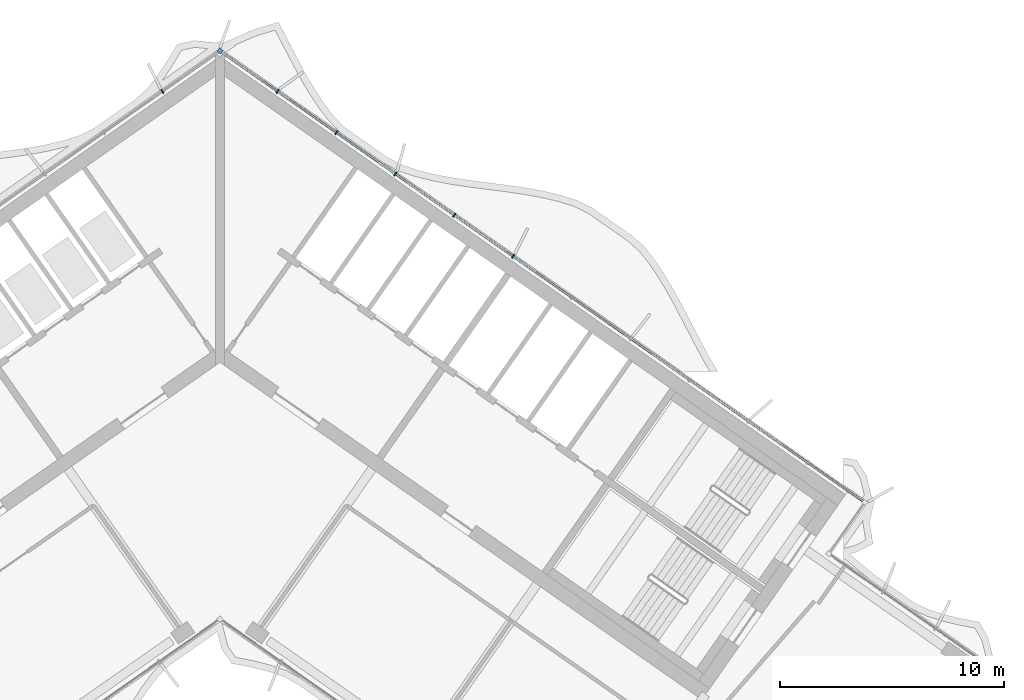
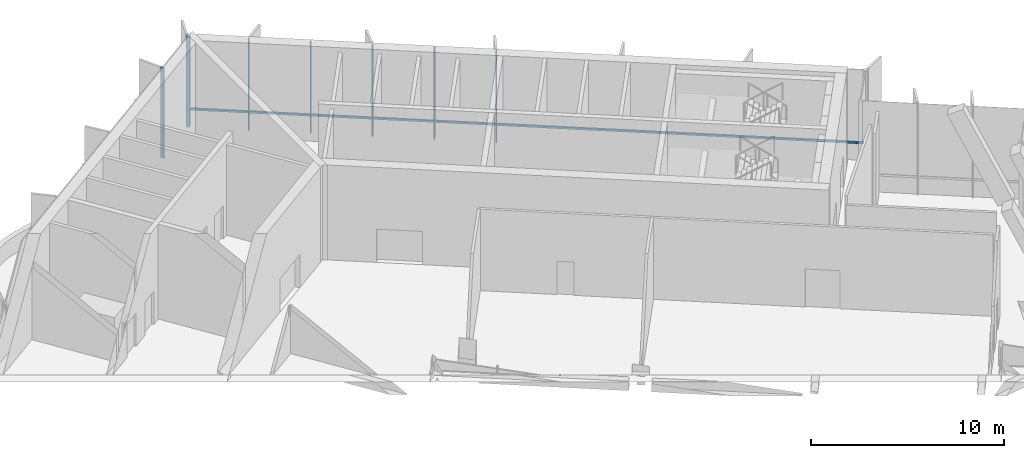
# One storey, part 8 of 22: 8 members, 1 element without a shape of its own.
"""IFC4 building model written with IfcOpenShell, lengths in metres."""

from ifc_helpers import new_model, si_unit, direction, frame, origin, origin_2d, place, context, subcontext, project, spatial, rectangle, extrude, material, material_profile, profile_set, type_object, element, aggregate, save


model = new_model("IFC4")

# Units and contexts
model_context = context("Model", 3, precision=1e-05, world=origin(), true_north=direction((0.0, 1.0)))
body_context = subcontext(model_context, "Body", "Model", "MODEL_VIEW")
ifc_project = project(units=[si_unit("LENGTHUNIT", "METRE"), si_unit("AREAUNIT", "SQUARE_METRE"), si_unit("VOLUMEUNIT", "CUBIC_METRE"), si_unit("PLANEANGLEUNIT", "RADIAN"), si_unit("MASSUNIT", "GRAM", prefix="KILO")], contexts=[model_context])

# Site, building, storey
site_placement = place(None, origin())
site = spatial("IfcSite", under=ifc_project, at=site_placement, CompositionType="ELEMENT")
building_placement = place(site_placement, origin())
building = spatial("IfcBuilding", under=site, at=building_placement, Name="Tel Ilan Convention Tower", CompositionType="ELEMENT")
storey_placement = place(building_placement, frame((0.0, 0.0, 219.39990234375)))
storey = spatial("IfcBuildingStorey", under=building, at=storey_placement, Name="L51", CompositionType="ELEMENT", Elevation=219.39990234375)

# Curtain wall, members
ifc_material_1 = material(Name="Aluminium, bronze anodised", Category="aluminium")
curtain_wall_type = type_object("IfcCurtainWallType", Name="CW2 STICK CURTAIN WALL, SPANDREL PANELS", PredefinedType="NOTDEFINED", material=ifc_material_1)
curtain_wall_placement = place(storey_placement, origin())
curtain_wall = element("IfcCurtainWall", 1, at=curtain_wall_placement, inside=storey, type_object=curtain_wall_type, Name="Curtain wall CW2-40.01", PredefinedType="NOTDEFINED")
ifc_material_2 = material(Name="Aluminium, bronze anodised", Category="aluminium")
ifc_material_profile_1 = material_profile(ifc_material_2, rectangle(XDim=0.199951171875, YDim=0.199951171875, at=origin_2d()), Name="CW CORNER MULLION 200x200")
ifc_profile_set_1 = profile_set([ifc_material_profile_1], Name="Aluminium, bronze anodised")
member_type_1 = type_object("IfcMemberType", Name="CW CORNER MULLION 200x200", PredefinedType="MULLION", material=ifc_profile_set_1)
member_1_placement = place(storey_placement, frame((0.0, 12.696044921875, 0.0), z_axis=(0.0, 0.0, 1.0), x_axis=(-0.819152044289, 0.573576436351, 0.0)))
member_1 = element("IfcMember", 2, at=member_1_placement, type_object=member_type_1, Name="Corner mullion", PredefinedType="MULLION", context=body_context, shape_type="SweptSolid", body=[
    extrude(rectangle(XDim=0.199951171875, YDim=0.199951171875, at=origin_2d()), origin(), (0.0, 0.0, 1.0), 5.72021484375),
])
ifc_material_3 = material(Name="Aluminium, bronze anodised", Category="aluminium")
ifc_material_profile_2 = material_profile(ifc_material_3, rectangle(XDim=0.06005859375, YDim=0.199951171875, at=origin_2d()), Name="CW MULLION 60x200")
ifc_profile_set_2 = profile_set([ifc_material_profile_2], Name="Aluminium, bronze anodised")
member_type_2 = type_object("IfcMemberType", Name="CW MULLION 60x200", PredefinedType="MULLION", material=ifc_profile_set_2)
member_2_placement = place(storey_placement, frame((13.105712890625, 3.519287109375, 0.0), z_axis=(0.0, 0.0, 1.0), x_axis=(-0.819152044289, 0.573576436351, 0.0)))
member_2 = element("IfcMember", 3, at=member_2_placement, type_object=member_type_2, Name="Mullion", PredefinedType="MULLION", context=body_context, shape_type="SweptSolid", body=[
    extrude(rectangle(XDim=0.06005859375, YDim=0.199951171875, at=origin_2d()), origin(), (0.0, 0.0, 1.0), 5.72021484375),
])
member_3_placement = place(storey_placement, frame((10.47314453125, 5.36279296875, 0.0), z_axis=(0.0, 0.0, 1.0), x_axis=(-0.819152044289, 0.573576436351, 0.0)))
member_3 = element("IfcMember", 4, at=member_3_placement, type_object=member_type_2, Name="Mullion", PredefinedType="MULLION", context=body_context, shape_type="SweptSolid", body=[
    extrude(rectangle(XDim=0.06005859375, YDim=0.199951171875, at=origin_2d()), origin(), (0.0, 0.0, 1.0), 5.72021484375),
])
member_4_placement = place(storey_placement, frame((7.840576171875, 7.2060546875, 0.0), z_axis=(0.0, 0.0, 1.0), x_axis=(-0.819152044289, 0.573576436351, 0.0)))
member_4 = element("IfcMember", 5, at=member_4_placement, type_object=member_type_2, Name="Mullion", PredefinedType="MULLION", context=body_context, shape_type="SweptSolid", body=[
    extrude(rectangle(XDim=0.06005859375, YDim=0.199951171875, at=origin_2d()), origin(), (0.0, 0.0, 1.0), 5.72021484375),
])
member_5_placement = place(storey_placement, frame((5.207763671875, 9.049560546875, 0.0), z_axis=(0.0, 0.0, 1.0), x_axis=(-0.819152044289, 0.573576436351, 0.0)))
member_5 = element("IfcMember", 6, at=member_5_placement, type_object=member_type_2, Name="Mullion", PredefinedType="MULLION", context=body_context, shape_type="SweptSolid", body=[
    extrude(rectangle(XDim=0.06005859375, YDim=0.199951171875, at=origin_2d()), origin(), (0.0, 0.0, 1.0), 5.72021484375),
])
member_6_placement = place(storey_placement, frame((2.5751953125, 10.892822265625, 0.0), z_axis=(0.0, 0.0, 1.0), x_axis=(-0.819152044289, 0.573576436351, 0.0)))
member_6 = element("IfcMember", 7, at=member_6_placement, type_object=member_type_2, Name="Mullion", PredefinedType="MULLION", context=body_context, shape_type="SweptSolid", body=[
    extrude(rectangle(XDim=0.06005859375, YDim=0.199951171875, at=origin_2d()), origin(), (0.0, 0.0, 1.0), 5.72021484375),
])
member_7_placement = place(storey_placement, frame((-2.5751953125, 10.892822265625, 0.0), z_axis=(0.0, 0.0, 1.0), x_axis=(-0.819152044289, -0.573576436351, 0.0)))
member_7 = element("IfcMember", 8, at=member_7_placement, type_object=member_type_2, Name="Mullion", PredefinedType="MULLION", context=body_context, shape_type="SweptSolid", body=[
    extrude(rectangle(XDim=0.06005859375, YDim=0.199951171875, at=origin_2d()), origin(), (0.0, 0.0, 1.0), 5.72021484375),
])
ifc_material_4 = material(Name="Aluminium, bronze anodised", Category="aluminium")
ifc_material_profile_3 = material_profile(ifc_material_4, rectangle(XDim=0.10009765625, YDim=0.1201171875, at=origin_2d()), Name="CW TRANSOM 100x120")
ifc_profile_set_3 = profile_set([ifc_material_profile_3], Name="Aluminium, bronze anodised")
member_type_3 = type_object("IfcMemberType", Name="CW TRANSOM 100x120", PredefinedType="USERDEFINED", material=ifc_profile_set_3)
member_8_placement = place(storey_placement, frame((28.737548828125, -7.42626953125, 1.10009765625), z_axis=(-0.819150201937, 0.573579067494, 0.0), x_axis=(-0.573579067494, -0.819150201937, 0.0)))
member_8 = element("IfcMember", 9, at=member_8_placement, type_object=member_type_3, Name="Transom", ObjectType="TRANSOM", PredefinedType="USERDEFINED", context=body_context, shape_type="SweptSolid", body=[
    extrude(rectangle(XDim=0.10009765625, YDim=0.1201171875, at=origin_2d()), origin(), (0.0, 0.0, 1.0), 34.9521484375),
])
aggregate(curtain_wall, [member_2, member_3, member_4, member_5, member_6, member_1, member_8, member_7])

save(model, "model.ifc")
